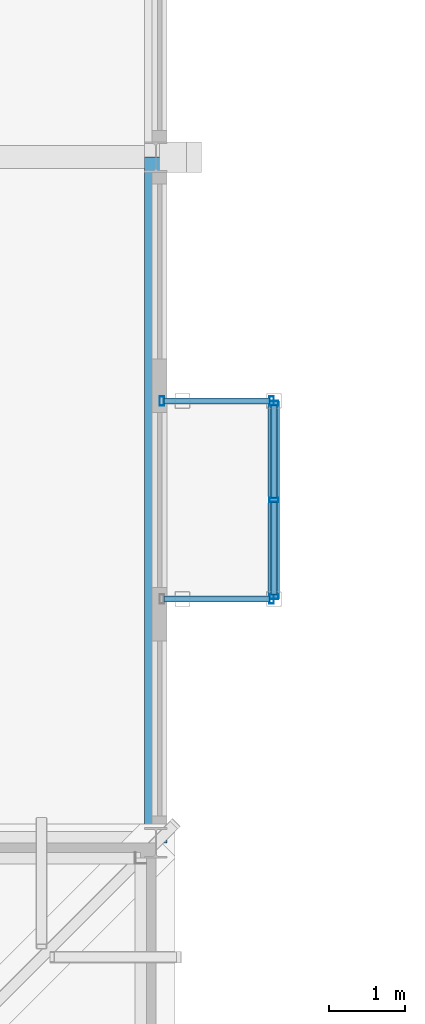
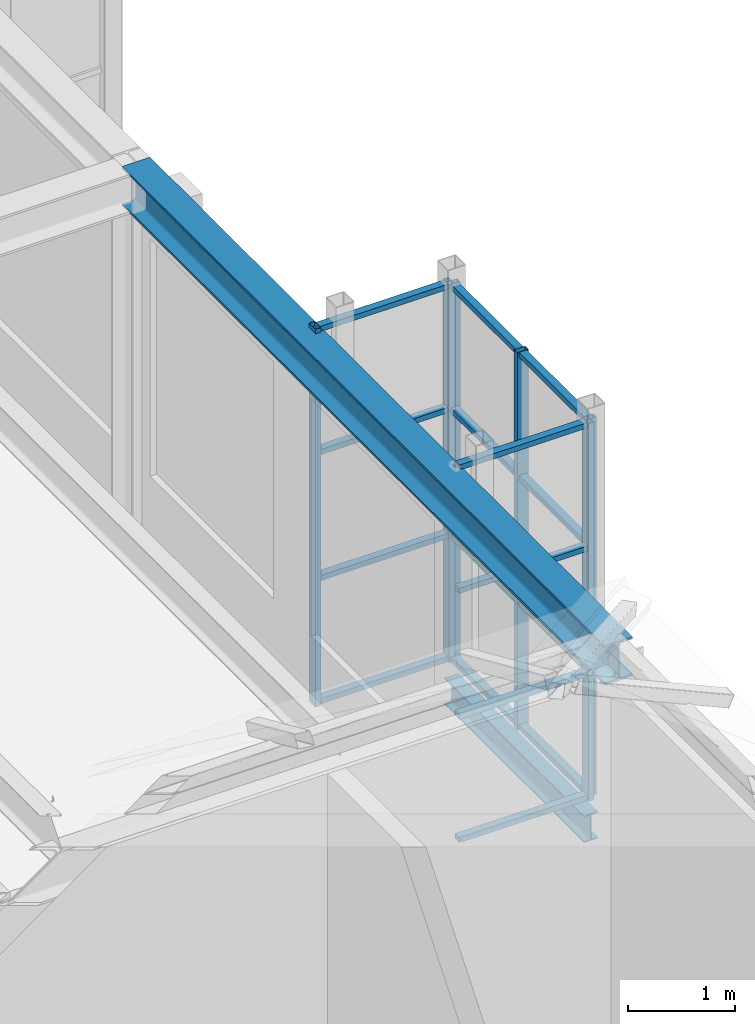
# One storey, part 27 of 149: 22 members, 2 beams, 3 elements without a shape of their own.
"""IFC4 building model written with IfcOpenShell, lengths in metres."""

from ifc_helpers import new_model, si_unit, direction, frame, origin, origin_2d, place, context, subcontext, project, spatial, hollow_rectangle, i_section, extrude, material, material_profile, profile_set, type_object, element, aggregate, save


model = new_model("IFC4")

# Units and contexts
model_context = context("Model", 3, precision=1e-05, world=origin(), true_north=direction((0.0, 1.0)))
body_context = subcontext(model_context, "Body", "Model", "MODEL_VIEW")
ifc_project = project(units=[si_unit("LENGTHUNIT", "METRE"), si_unit("AREAUNIT", "SQUARE_METRE"), si_unit("VOLUMEUNIT", "CUBIC_METRE"), si_unit("PLANEANGLEUNIT", "RADIAN"), si_unit("MASSUNIT", "GRAM", prefix="KILO")], contexts=[model_context])

# Site, building, storey
site_placement = place(None, origin())
site = spatial("IfcSite", under=ifc_project, at=site_placement, CompositionType="ELEMENT")
building_placement = place(site_placement, origin())
building = spatial("IfcBuilding", under=site, at=building_placement, Name="Kallimachos Central Library", CompositionType="ELEMENT")
storey_placement = place(building_placement, frame((0.0, 0.0, 9.89990234375)))
storey = spatial("IfcBuildingStorey", under=building, at=storey_placement, Name="L02", CompositionType="ELEMENT", Elevation=9.89990234375)

# Beams
ifc_material_1 = material(Name="Steel S355J2", Category="steel")
ifc_material_profile_1 = material_profile(ifc_material_1, i_section(OverallWidth=0.300048828125, OverallDepth=0.449951171875, WebThickness=0.013916015625, FlangeThickness=0.02587890625, FilletRadius=0.027099609375, at=origin_2d()), Name="HEB 450")
ifc_profile_set_1 = profile_set([ifc_material_profile_1], Name="Steel S355J2")
beam_type_1 = type_object("IfcBeamType", Name="HEB 450 beam", PredefinedType="BEAM", material=ifc_profile_set_1)
beam_1_placement = place(storey_placement, frame((110.5, 57.0, 4.025146484375), z_axis=(0.0, 1.0, 0.0), x_axis=(-1.0, 0.0, 0.0)))
element("IfcBeam", 1, at=beam_1_placement, inside=storey, type_object=beam_type_1, Name="V4-BEM-L02-035", PredefinedType="BEAM", context=body_context, shape_type="SweptSolid", body=[
    extrude(i_section(OverallWidth=0.300048828125, OverallDepth=0.449951171875, WebThickness=0.013916015625, FlangeThickness=0.02587890625, FilletRadius=0.027099609375, at=origin_2d()), origin(), (0.0, 0.0, 1.0), 9.0),
])
ifc_material_2 = material(Name="Steel S355J2", Category="steel")
ifc_material_profile_2 = material_profile(ifc_material_2, i_section(OverallWidth=0.14990234375, OverallDepth=0.300048828125, WebThickness=0.007080078125, FlangeThickness=0.0107421875, FilletRadius=0.014892578125, at=origin_2d()), Name="IPE 300")
ifc_profile_set_2 = profile_set([ifc_material_profile_2], Name="Steel S355J2")
beam_type_2 = type_object("IfcBeamType", Name="IPE 300 beam", PredefinedType="BEAM", material=ifc_profile_set_2)
beam_2_placement = place(storey_placement, frame((112.050048828125, 60.199951171875, -0.349853515625), z_axis=(0.0, 1.0, 0.0), x_axis=(-1.0, 0.0, 0.0)))
element("IfcBeam", 2, at=beam_2_placement, inside=storey, type_object=beam_type_2, Name="Tribune bay E1 edge beam L02", PredefinedType="BEAM", context=body_context, shape_type="SweptSolid", body=[
    extrude(i_section(OverallWidth=0.14990234375, OverallDepth=0.300048828125, WebThickness=0.007080078125, FlangeThickness=0.0107421875, FilletRadius=0.014892578125, at=origin_2d()), origin(), (0.0, 0.0, 1.0), 2.60009765625),
])

# Curtain wall, members
ifc_material_3 = material(Name="Aluminium and laminated glass", Category="aluminium")
curtain_wall_type = type_object("IfcCurtainWallType", Name="Tribune bay glazed screen", PredefinedType="NOTDEFINED", material=ifc_material_3)
curtain_wall_1_placement = place(storey_placement, origin())
curtain_wall_1 = element("IfcCurtainWall", 3, at=curtain_wall_1_placement, inside=storey, type_object=curtain_wall_type, Name="Tribune bay E1 L02 front", PredefinedType="NOTDEFINED")
ifc_material_4 = material(Name="Anodised aluminium", Category="aluminium")
ifc_material_profile_3 = material_profile(ifc_material_4, hollow_rectangle(XDim=0.06005859375, YDim=0.1201171875, WallThickness=0.00390625, at=origin_2d()), Name="ALU MULLION 60x120")
ifc_profile_set_3 = profile_set([ifc_material_profile_3], Name="Anodised aluminium")
member_type_1 = type_object("IfcMemberType", Name="Tribune bay mullion", PredefinedType="MULLION", material=ifc_profile_set_3)
member_1_placement = place(storey_placement, frame((112.050048828125, 60.22998046875, 0.0), z_axis=(0.0, 0.0, 1.0), x_axis=(0.0, 1.0, 0.0)))
member_1 = element("IfcMember", 4, at=member_1_placement, type_object=member_type_1, Name="CW mullion 1", PredefinedType="MULLION", context=body_context, shape_type="SweptSolid", body=[
    extrude(hollow_rectangle(XDim=0.06005859375, YDim=0.1201171875, WallThickness=0.00390625, at=origin_2d()), origin(), (0.0, 0.0, 1.0), 4.300048828125),
])
member_2_placement = place(storey_placement, frame((112.050048828125, 61.5, 0.0), z_axis=(0.0, 0.0, 1.0), x_axis=(0.0, 1.0, 0.0)))
member_2 = element("IfcMember", 5, at=member_2_placement, type_object=member_type_1, Name="CW mullion 2", PredefinedType="MULLION", context=body_context, shape_type="SweptSolid", body=[
    extrude(hollow_rectangle(XDim=0.06005859375, YDim=0.1201171875, WallThickness=0.00390625, at=origin_2d()), origin(), (0.0, 0.0, 1.0), 4.300048828125),
])
member_3_placement = place(storey_placement, frame((112.050048828125, 62.77001953125, 0.0), z_axis=(0.0, 0.0, 1.0), x_axis=(0.0, 1.0, 0.0)))
member_3 = element("IfcMember", 6, at=member_3_placement, type_object=member_type_1, Name="CW mullion 3", PredefinedType="MULLION", context=body_context, shape_type="SweptSolid", body=[
    extrude(hollow_rectangle(XDim=0.06005859375, YDim=0.1201171875, WallThickness=0.00390625, at=origin_2d()), origin(), (0.0, 0.0, 1.0), 4.300048828125),
])

# Curtain wall, member
curtain_wall_2_placement = place(storey_placement, origin())
curtain_wall_2 = element("IfcCurtainWall", 7, at=curtain_wall_2_placement, inside=storey, type_object=curtain_wall_type, Name="Tribune bay E1 L02 return 1", PredefinedType="NOTDEFINED")
member_4_placement = place(storey_placement, frame((112.02001953125, 60.199951171875, 0.0), z_axis=(0.0, 0.0, 1.0), x_axis=(1.0, 0.0, 0.0)))
member_4 = element("IfcMember", 8, at=member_4_placement, type_object=member_type_1, Name="CW mullion 2", PredefinedType="MULLION", context=body_context, shape_type="SweptSolid", body=[
    extrude(hollow_rectangle(XDim=0.06005859375, YDim=0.1201171875, WallThickness=0.00390625, at=origin_2d()), origin(), (0.0, 0.0, 1.0), 4.300048828125),
])

# Curtain wall, members
curtain_wall_3_placement = place(storey_placement, origin())
curtain_wall_3 = element("IfcCurtainWall", 9, at=curtain_wall_3_placement, inside=storey, type_object=curtain_wall_type, Name="Tribune bay E1 L02 return 2", PredefinedType="NOTDEFINED")
member_5_placement = place(storey_placement, frame((110.580078125, 62.800048828125, 0.0), z_axis=(0.0, 0.0, 1.0), x_axis=(1.0, 0.0, 0.0)))
member_5 = element("IfcMember", 10, at=member_5_placement, type_object=member_type_1, Name="CW mullion 1", PredefinedType="MULLION", context=body_context, shape_type="SweptSolid", body=[
    extrude(hollow_rectangle(XDim=0.06005859375, YDim=0.1201171875, WallThickness=0.00390625, at=origin_2d()), origin(), (0.0, 0.0, 1.0), 4.300048828125),
])
member_6_placement = place(storey_placement, frame((112.02001953125, 62.800048828125, 0.0), z_axis=(0.0, 0.0, 1.0), x_axis=(1.0, 0.0, 0.0)))
member_6 = element("IfcMember", 11, at=member_6_placement, type_object=member_type_1, Name="CW mullion 2", PredefinedType="MULLION", context=body_context, shape_type="SweptSolid", body=[
    extrude(hollow_rectangle(XDim=0.06005859375, YDim=0.1201171875, WallThickness=0.00390625, at=origin_2d()), origin(), (0.0, 0.0, 1.0), 4.300048828125),
])

# Member
ifc_material_5 = material(Name="Anodised aluminium", Category="aluminium")
ifc_material_profile_4 = material_profile(ifc_material_5, hollow_rectangle(XDim=0.06005859375, YDim=0.080078125, WallThickness=0.00390625, at=origin_2d()), Name="ALU TRANSOM 60x80")
ifc_profile_set_4 = profile_set([ifc_material_profile_4], Name="Anodised aluminium")
member_type_2 = type_object("IfcMemberType", Name="Tribune bay transom", PredefinedType="USERDEFINED", material=ifc_profile_set_4)
member_7_placement = place(storey_placement, frame((112.050048828125, 60.260009765625, 0.030029296875), z_axis=(0.0, 1.0, 0.0), x_axis=(0.0, 0.0, 1.0)))
member_7 = element("IfcMember", 12, at=member_7_placement, type_object=member_type_2, Name="CW transom 1.1", ObjectType="TRANSOM", PredefinedType="USERDEFINED", context=body_context, shape_type="SweptSolid", body=[
    extrude(hollow_rectangle(XDim=0.06005859375, YDim=0.080078125, WallThickness=0.00390625, at=origin_2d()), origin(), (0.0, 0.0, 1.0), 1.2099609375),
])

member_8_placement = place(storey_placement, frame((112.050048828125, 60.260009765625, 1.433349609375), z_axis=(0.0, 1.0, 0.0), x_axis=(0.0, 0.0, 1.0)))
member_8 = element("IfcMember", 13, at=member_8_placement, type_object=member_type_2, Name="CW transom 1.2", ObjectType="TRANSOM", PredefinedType="USERDEFINED", context=body_context, shape_type="SweptSolid", body=[
    extrude(hollow_rectangle(XDim=0.06005859375, YDim=0.080078125, WallThickness=0.00390625, at=origin_2d()), origin(), (0.0, 0.0, 1.0), 1.2099609375),
])

member_9_placement = place(storey_placement, frame((112.050048828125, 60.260009765625, 2.86669921875), z_axis=(0.0, 1.0, 0.0), x_axis=(0.0, 0.0, 1.0)))
member_9 = element("IfcMember", 14, at=member_9_placement, type_object=member_type_2, Name="CW transom 1.3", ObjectType="TRANSOM", PredefinedType="USERDEFINED", context=body_context, shape_type="SweptSolid", body=[
    extrude(hollow_rectangle(XDim=0.06005859375, YDim=0.080078125, WallThickness=0.00390625, at=origin_2d()), origin(), (0.0, 0.0, 1.0), 1.2099609375),
])

member_10_placement = place(storey_placement, frame((112.050048828125, 60.260009765625, 4.27001953125), z_axis=(0.0, 1.0, 0.0), x_axis=(0.0, 0.0, 1.0)))
member_10 = element("IfcMember", 15, at=member_10_placement, type_object=member_type_2, Name="CW transom 1.4", ObjectType="TRANSOM", PredefinedType="USERDEFINED", context=body_context, shape_type="SweptSolid", body=[
    extrude(hollow_rectangle(XDim=0.06005859375, YDim=0.080078125, WallThickness=0.00390625, at=origin_2d()), origin(), (0.0, 0.0, 1.0), 1.2099609375),
])

member_11_placement = place(storey_placement, frame((112.050048828125, 61.530029296875, 0.030029296875), z_axis=(0.0, 1.0, 0.0), x_axis=(0.0, 0.0, 1.0)))
member_11 = element("IfcMember", 16, at=member_11_placement, type_object=member_type_2, Name="CW transom 2.1", ObjectType="TRANSOM", PredefinedType="USERDEFINED", context=body_context, shape_type="SweptSolid", body=[
    extrude(hollow_rectangle(XDim=0.06005859375, YDim=0.080078125, WallThickness=0.00390625, at=origin_2d()), origin(), (0.0, 0.0, 1.0), 1.2099609375),
])

member_12_placement = place(storey_placement, frame((112.050048828125, 61.530029296875, 1.433349609375), z_axis=(0.0, 1.0, 0.0), x_axis=(0.0, 0.0, 1.0)))
member_12 = element("IfcMember", 17, at=member_12_placement, type_object=member_type_2, Name="CW transom 2.2", ObjectType="TRANSOM", PredefinedType="USERDEFINED", context=body_context, shape_type="SweptSolid", body=[
    extrude(hollow_rectangle(XDim=0.06005859375, YDim=0.080078125, WallThickness=0.00390625, at=origin_2d()), origin(), (0.0, 0.0, 1.0), 1.2099609375),
])

member_13_placement = place(storey_placement, frame((112.050048828125, 61.530029296875, 2.86669921875), z_axis=(0.0, 1.0, 0.0), x_axis=(0.0, 0.0, 1.0)))
member_13 = element("IfcMember", 18, at=member_13_placement, type_object=member_type_2, Name="CW transom 2.3", ObjectType="TRANSOM", PredefinedType="USERDEFINED", context=body_context, shape_type="SweptSolid", body=[
    extrude(hollow_rectangle(XDim=0.06005859375, YDim=0.080078125, WallThickness=0.00390625, at=origin_2d()), origin(), (0.0, 0.0, 1.0), 1.2099609375),
])

member_14_placement = place(storey_placement, frame((112.050048828125, 61.530029296875, 4.27001953125), z_axis=(0.0, 1.0, 0.0), x_axis=(0.0, 0.0, 1.0)))
member_14 = element("IfcMember", 19, at=member_14_placement, type_object=member_type_2, Name="CW transom 2.4", ObjectType="TRANSOM", PredefinedType="USERDEFINED", context=body_context, shape_type="SweptSolid", body=[
    extrude(hollow_rectangle(XDim=0.06005859375, YDim=0.080078125, WallThickness=0.00390625, at=origin_2d()), origin(), (0.0, 0.0, 1.0), 1.2099609375),
])

aggregate(curtain_wall_1, [member_1, member_2, member_3, member_7, member_8, member_9, member_10, member_11, member_12, member_13, member_14])

member_15_placement = place(storey_placement, frame((110.610107421875, 60.199951171875, 0.030029296875), z_axis=(1.0, 0.0, 0.0), x_axis=(0.0, 0.0, 1.0)))
member_15 = element("IfcMember", 20, at=member_15_placement, type_object=member_type_2, Name="CW transom 1.1", ObjectType="TRANSOM", PredefinedType="USERDEFINED", context=body_context, shape_type="SweptSolid", body=[
    extrude(hollow_rectangle(XDim=0.06005859375, YDim=0.080078125, WallThickness=0.00390625, at=origin_2d()), origin(), (0.0, 0.0, 1.0), 1.3798828125),
])

member_16_placement = place(storey_placement, frame((110.610107421875, 60.199951171875, 1.433349609375), z_axis=(1.0, 0.0, 0.0), x_axis=(0.0, 0.0, 1.0)))
member_16 = element("IfcMember", 21, at=member_16_placement, type_object=member_type_2, Name="CW transom 1.2", ObjectType="TRANSOM", PredefinedType="USERDEFINED", context=body_context, shape_type="SweptSolid", body=[
    extrude(hollow_rectangle(XDim=0.06005859375, YDim=0.080078125, WallThickness=0.00390625, at=origin_2d()), origin(), (0.0, 0.0, 1.0), 1.3798828125),
])

member_17_placement = place(storey_placement, frame((110.610107421875, 60.199951171875, 2.86669921875), z_axis=(1.0, 0.0, 0.0), x_axis=(0.0, 0.0, 1.0)))
member_17 = element("IfcMember", 22, at=member_17_placement, type_object=member_type_2, Name="CW transom 1.3", ObjectType="TRANSOM", PredefinedType="USERDEFINED", context=body_context, shape_type="SweptSolid", body=[
    extrude(hollow_rectangle(XDim=0.06005859375, YDim=0.080078125, WallThickness=0.00390625, at=origin_2d()), origin(), (0.0, 0.0, 1.0), 1.3798828125),
])

member_18_placement = place(storey_placement, frame((110.610107421875, 60.199951171875, 4.27001953125), z_axis=(1.0, 0.0, 0.0), x_axis=(0.0, 0.0, 1.0)))
member_18 = element("IfcMember", 23, at=member_18_placement, type_object=member_type_2, Name="CW transom 1.4", ObjectType="TRANSOM", PredefinedType="USERDEFINED", context=body_context, shape_type="SweptSolid", body=[
    extrude(hollow_rectangle(XDim=0.06005859375, YDim=0.080078125, WallThickness=0.00390625, at=origin_2d()), origin(), (0.0, 0.0, 1.0), 1.3798828125),
])

aggregate(curtain_wall_2, [member_4, member_15, member_16, member_17, member_18])

member_19_placement = place(storey_placement, frame((110.610107421875, 62.800048828125, 0.030029296875), z_axis=(1.0, 0.0, 0.0), x_axis=(0.0, 0.0, 1.0)))
member_19 = element("IfcMember", 24, at=member_19_placement, type_object=member_type_2, Name="CW transom 1.1", ObjectType="TRANSOM", PredefinedType="USERDEFINED", context=body_context, shape_type="SweptSolid", body=[
    extrude(hollow_rectangle(XDim=0.06005859375, YDim=0.080078125, WallThickness=0.00390625, at=origin_2d()), origin(), (0.0, 0.0, 1.0), 1.3798828125),
])

member_20_placement = place(storey_placement, frame((110.610107421875, 62.800048828125, 1.433349609375), z_axis=(1.0, 0.0, 0.0), x_axis=(0.0, 0.0, 1.0)))
member_20 = element("IfcMember", 25, at=member_20_placement, type_object=member_type_2, Name="CW transom 1.2", ObjectType="TRANSOM", PredefinedType="USERDEFINED", context=body_context, shape_type="SweptSolid", body=[
    extrude(hollow_rectangle(XDim=0.06005859375, YDim=0.080078125, WallThickness=0.00390625, at=origin_2d()), origin(), (0.0, 0.0, 1.0), 1.3798828125),
])

member_21_placement = place(storey_placement, frame((110.610107421875, 62.800048828125, 2.86669921875), z_axis=(1.0, 0.0, 0.0), x_axis=(0.0, 0.0, 1.0)))
member_21 = element("IfcMember", 26, at=member_21_placement, type_object=member_type_2, Name="CW transom 1.3", ObjectType="TRANSOM", PredefinedType="USERDEFINED", context=body_context, shape_type="SweptSolid", body=[
    extrude(hollow_rectangle(XDim=0.06005859375, YDim=0.080078125, WallThickness=0.00390625, at=origin_2d()), origin(), (0.0, 0.0, 1.0), 1.3798828125),
])

member_22_placement = place(storey_placement, frame((110.610107421875, 62.800048828125, 4.27001953125), z_axis=(1.0, 0.0, 0.0), x_axis=(0.0, 0.0, 1.0)))
member_22 = element("IfcMember", 27, at=member_22_placement, type_object=member_type_2, Name="CW transom 1.4", ObjectType="TRANSOM", PredefinedType="USERDEFINED", context=body_context, shape_type="SweptSolid", body=[
    extrude(hollow_rectangle(XDim=0.06005859375, YDim=0.080078125, WallThickness=0.00390625, at=origin_2d()), origin(), (0.0, 0.0, 1.0), 1.3798828125),
])

aggregate(curtain_wall_3, [member_5, member_6, member_19, member_20, member_21, member_22])

save(model, "model.ifc")
